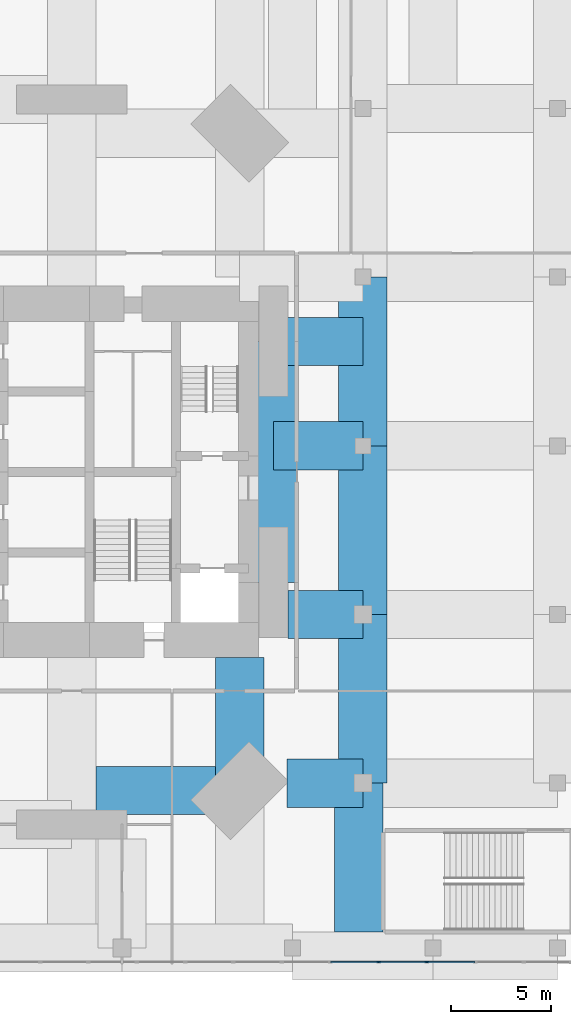
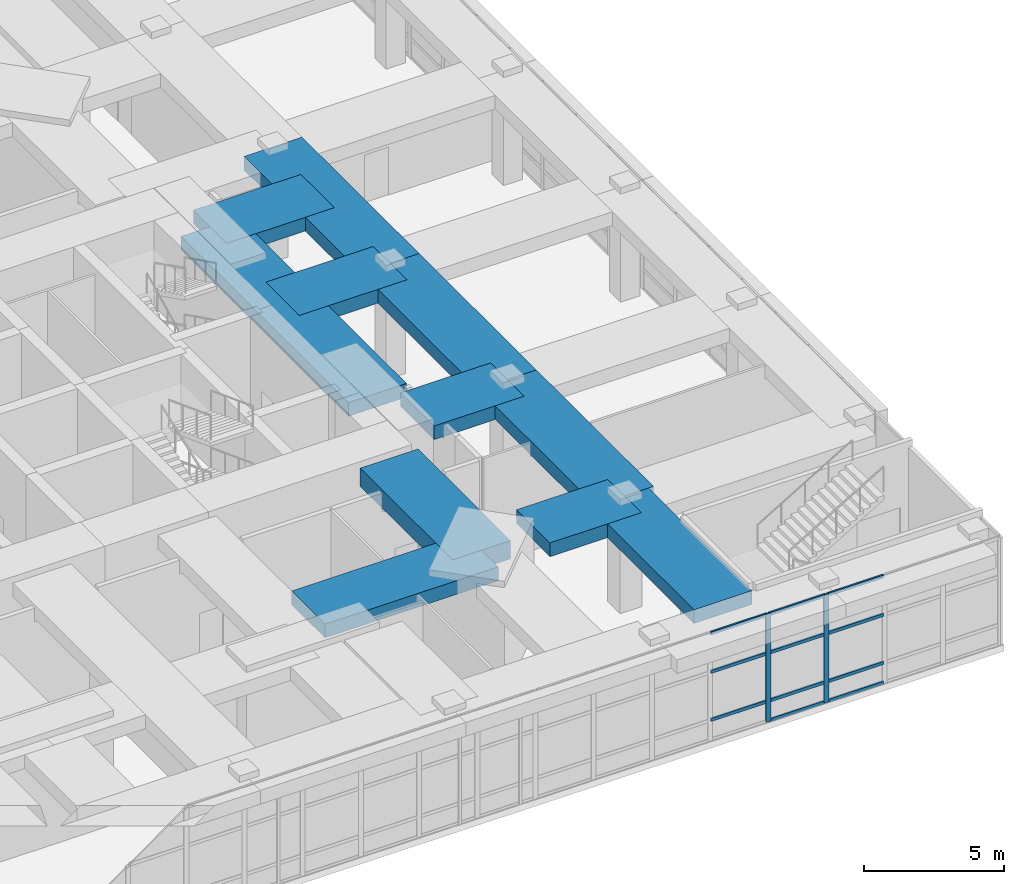
# One storey, part 6 of 22: 13 members, 11 beams, 1 element without a shape of its own.
"""IFC4 building model written with IfcOpenShell, lengths in metres."""

from ifc_helpers import new_model, si_unit, direction, frame, origin, origin_2d, place, context, subcontext, project, spatial, rectangle, extrude, material, material_profile, profile_set, type_object, element, aggregate, save


model = new_model("IFC4")

# Units and contexts
model_context = context("Model", 3, precision=1e-05, world=origin(), true_north=direction((0.0, 1.0)))
body_context = subcontext(model_context, "Body", "Model", "MODEL_VIEW")
ifc_project = project(units=[si_unit("LENGTHUNIT", "METRE"), si_unit("AREAUNIT", "SQUARE_METRE"), si_unit("VOLUMEUNIT", "CUBIC_METRE"), si_unit("PLANEANGLEUNIT", "RADIAN"), si_unit("MASSUNIT", "GRAM", prefix="KILO")], contexts=[model_context])

# Site, building, storey
site_placement = place(None, origin())
site = spatial("IfcSite", under=ifc_project, at=site_placement, CompositionType="ELEMENT")
building_placement = place(site_placement, origin())
building = spatial("IfcBuilding", under=site, at=building_placement, Name="Jalousie Tower", CompositionType="ELEMENT")
storey_placement = place(building_placement, frame((0.0, 0.0, 6.0)))
storey = spatial("IfcBuildingStorey", under=building, at=storey_placement, Name="L01", CompositionType="ELEMENT", Elevation=6.0)

# Curtain wall, members
ifc_material_1 = material(Name="Aluminium curtain wall", Category="aluminium")
curtain_wall_type = type_object("IfcCurtainWallType", Name="PODIUM WINDOW WALL", PredefinedType="USERDEFINED", material=ifc_material_1)
curtain_wall_placement = place(storey_placement, origin())
curtain_wall = element("IfcCurtainWall", 1, at=curtain_wall_placement, inside=storey, type_object=curtain_wall_type, Name="Podium Window Wall L01 1", ObjectType="PODIUM WINDOW WALL", PredefinedType="USERDEFINED")
ifc_material_2 = material(Name="Aluminium mullion", Category="aluminium")
ifc_material_profile_1 = material_profile(ifc_material_2, rectangle(XDim=0.070068359375, YDim=0.199951171875, at=origin_2d()), Name="MULLION 70x200")
ifc_profile_set_1 = profile_set([ifc_material_profile_1], Name="Aluminium mullion")
member_type_1 = type_object("IfcMemberType", Name="PODIUM WINDOW WALL MULLION", PredefinedType="MULLION", material=ifc_profile_set_1)
member_1_placement = place(storey_placement, frame((50.281494140625, -5.91259765625, 0.0), z_axis=(0.0, 0.0, 1.0), x_axis=(0.0, 1.0, 0.0)))
member_1 = element("IfcMember", 2, at=member_1_placement, type_object=member_type_1, Name="CW-P mullion 26", PredefinedType="MULLION", context=body_context, shape_type="SweptSolid", body=[
    extrude(rectangle(XDim=0.070068359375, YDim=0.199951171875, at=origin_2d()), origin(), (0.0, 0.0, 1.0), 4.719970703125),
])
member_2_placement = place(storey_placement, frame((52.689208984375, -5.91259765625, 0.0), z_axis=(0.0, 0.0, 1.0), x_axis=(0.0, 1.0, 0.0)))
member_2 = element("IfcMember", 3, at=member_2_placement, type_object=member_type_1, Name="CW-P mullion 27", PredefinedType="MULLION", context=body_context, shape_type="SweptSolid", body=[
    extrude(rectangle(XDim=0.070068359375, YDim=0.199951171875, at=origin_2d()), origin(), (0.0, 0.0, 1.0), 4.719970703125),
])
ifc_material_3 = material(Name="Aluminium transom", Category="aluminium")
ifc_material_profile_2 = material_profile(ifc_material_3, rectangle(XDim=0.070068359375, YDim=0.139892578125, at=origin_2d()), Name="TRANSOM 70x140")
ifc_profile_set_2 = profile_set([ifc_material_profile_2], Name="Aluminium transom")
member_type_2 = type_object("IfcMemberType", Name="PODIUM WINDOW WALL TRANSOM", PredefinedType="USERDEFINED", material=ifc_profile_set_2)
member_3_placement = place(storey_placement, frame((47.90869140625, -5.91259765625, 0.89990234375), z_axis=(1.0, 0.0, 0.0), x_axis=(0.0, 1.0, 0.0)))
member_3 = element("IfcMember", 4, at=member_3_placement, type_object=member_type_2, Name="CW-P transom 25.2", ObjectType="TRANSOM", PredefinedType="USERDEFINED", context=body_context, shape_type="SweptSolid", body=[
    extrude(rectangle(XDim=0.070068359375, YDim=0.139892578125, at=origin_2d()), origin(), (0.0, 0.0, 1.0), 2.337890625),
])
member_4_placement = place(storey_placement, frame((47.90869140625, -5.91259765625, 3.0), z_axis=(1.0, 0.0, 0.0), x_axis=(0.0, 1.0, 0.0)))
member_4 = element("IfcMember", 5, at=member_4_placement, type_object=member_type_2, Name="CW-P transom 25.3", ObjectType="TRANSOM", PredefinedType="USERDEFINED", context=body_context, shape_type="SweptSolid", body=[
    extrude(rectangle(XDim=0.070068359375, YDim=0.139892578125, at=origin_2d()), origin(), (0.0, 0.0, 1.0), 2.337890625),
])
member_5_placement = place(storey_placement, frame((47.90869140625, -5.91259765625, 4.68505859375), z_axis=(1.0, 0.0, 0.0), x_axis=(0.0, 1.0, 0.0)))
member_5 = element("IfcMember", 6, at=member_5_placement, type_object=member_type_2, Name="CW-P transom 25.4", ObjectType="TRANSOM", PredefinedType="USERDEFINED", context=body_context, shape_type="SweptSolid", body=[
    extrude(rectangle(XDim=0.070068359375, YDim=0.139892578125, at=origin_2d()), origin(), (0.0, 0.0, 1.0), 2.337890625),
])
member_6_placement = place(storey_placement, frame((50.31640625, -5.91259765625, 0.034912109375), z_axis=(1.0, 0.0, 0.0), x_axis=(0.0, 1.0, 0.0)))
member_6 = element("IfcMember", 7, at=member_6_placement, type_object=member_type_2, Name="CW-P transom 26.1", ObjectType="TRANSOM", PredefinedType="USERDEFINED", context=body_context, shape_type="SweptSolid", body=[
    extrude(rectangle(XDim=0.070068359375, YDim=0.139892578125, at=origin_2d()), origin(), (0.0, 0.0, 1.0), 2.337890625),
])
member_7_placement = place(storey_placement, frame((50.31640625, -5.91259765625, 0.89990234375), z_axis=(1.0, 0.0, 0.0), x_axis=(0.0, 1.0, 0.0)))
member_7 = element("IfcMember", 8, at=member_7_placement, type_object=member_type_2, Name="CW-P transom 26.2", ObjectType="TRANSOM", PredefinedType="USERDEFINED", context=body_context, shape_type="SweptSolid", body=[
    extrude(rectangle(XDim=0.070068359375, YDim=0.139892578125, at=origin_2d()), origin(), (0.0, 0.0, 1.0), 2.337890625),
])
member_8_placement = place(storey_placement, frame((50.31640625, -5.91259765625, 3.0), z_axis=(1.0, 0.0, 0.0), x_axis=(0.0, 1.0, 0.0)))
member_8 = element("IfcMember", 9, at=member_8_placement, type_object=member_type_2, Name="CW-P transom 26.3", ObjectType="TRANSOM", PredefinedType="USERDEFINED", context=body_context, shape_type="SweptSolid", body=[
    extrude(rectangle(XDim=0.070068359375, YDim=0.139892578125, at=origin_2d()), origin(), (0.0, 0.0, 1.0), 2.337890625),
])
member_9_placement = place(storey_placement, frame((50.31640625, -5.91259765625, 4.68505859375), z_axis=(1.0, 0.0, 0.0), x_axis=(0.0, 1.0, 0.0)))
member_9 = element("IfcMember", 10, at=member_9_placement, type_object=member_type_2, Name="CW-P transom 26.4", ObjectType="TRANSOM", PredefinedType="USERDEFINED", context=body_context, shape_type="SweptSolid", body=[
    extrude(rectangle(XDim=0.070068359375, YDim=0.139892578125, at=origin_2d()), origin(), (0.0, 0.0, 1.0), 2.337890625),
])
member_10_placement = place(storey_placement, frame((52.72412109375, -5.91259765625, 0.034912109375), z_axis=(1.0, 0.0, 0.0), x_axis=(0.0, 1.0, 0.0)))
member_10 = element("IfcMember", 11, at=member_10_placement, type_object=member_type_2, Name="CW-P transom 27.1", ObjectType="TRANSOM", PredefinedType="USERDEFINED", context=body_context, shape_type="SweptSolid", body=[
    extrude(rectangle(XDim=0.070068359375, YDim=0.139892578125, at=origin_2d()), origin(), (0.0, 0.0, 1.0), 2.337890625),
])
member_11_placement = place(storey_placement, frame((52.72412109375, -5.91259765625, 0.89990234375), z_axis=(1.0, 0.0, 0.0), x_axis=(0.0, 1.0, 0.0)))
member_11 = element("IfcMember", 12, at=member_11_placement, type_object=member_type_2, Name="CW-P transom 27.2", ObjectType="TRANSOM", PredefinedType="USERDEFINED", context=body_context, shape_type="SweptSolid", body=[
    extrude(rectangle(XDim=0.070068359375, YDim=0.139892578125, at=origin_2d()), origin(), (0.0, 0.0, 1.0), 2.337890625),
])
member_12_placement = place(storey_placement, frame((52.72412109375, -5.91259765625, 3.0), z_axis=(1.0, 0.0, 0.0), x_axis=(0.0, 1.0, 0.0)))
member_12 = element("IfcMember", 13, at=member_12_placement, type_object=member_type_2, Name="CW-P transom 27.3", ObjectType="TRANSOM", PredefinedType="USERDEFINED", context=body_context, shape_type="SweptSolid", body=[
    extrude(rectangle(XDim=0.070068359375, YDim=0.139892578125, at=origin_2d()), origin(), (0.0, 0.0, 1.0), 2.337890625),
])
member_13_placement = place(storey_placement, frame((52.72412109375, -5.91259765625, 4.68505859375), z_axis=(1.0, 0.0, 0.0), x_axis=(0.0, 1.0, 0.0)))
member_13 = element("IfcMember", 14, at=member_13_placement, type_object=member_type_2, Name="CW-P transom 27.4", ObjectType="TRANSOM", PredefinedType="USERDEFINED", context=body_context, shape_type="SweptSolid", body=[
    extrude(rectangle(XDim=0.070068359375, YDim=0.139892578125, at=origin_2d()), origin(), (0.0, 0.0, 1.0), 2.337890625),
])
aggregate(curtain_wall, [member_1, member_2, member_3, member_4, member_5, member_6, member_7, member_8, member_9, member_10, member_11, member_12, member_13])

# Beams
ifc_material_4 = material(Name="Concrete f'c 40 MPa", Category="concrete")
ifc_material_profile_3 = material_profile(ifc_material_4, rectangle(XDim=2.39990234375, YDim=0.60009765625, at=origin_2d()), Name="RC 2400x600")
ifc_profile_set_3 = profile_set([ifc_material_profile_3], Name="Concrete f'c 40 MPa")
beam_type_1 = type_object("IfcBeamType", Name="RC BEAM 2400x600", PredefinedType="BEAM", material=ifc_profile_set_3)
beam_1_placement = place(storey_placement, frame((45.050048828125, 13.0, 4.419921875), z_axis=(0.0, 1.0, 0.0), x_axis=(-1.0, 0.0, 0.0)))
element("IfcBeam", 15, at=beam_1_placement, inside=storey, type_object=beam_type_1, Name="Floor band beam under L02", PredefinedType="BEAM", context=body_context, shape_type="SweptSolid", body=[
    extrude(rectangle(XDim=2.39990234375, YDim=0.60009765625, at=origin_2d()), origin(), (0.0, 0.0, 1.0), 12.0),
])
beam_2_placement = place(storey_placement, frame((49.5, 3.0, 4.419921875), z_axis=(0.0, 1.0, 0.0), x_axis=(-1.0, 0.0, 0.0)))
element("IfcBeam", 16, at=beam_2_placement, inside=storey, type_object=beam_type_1, Name="Floor band beam under L02", PredefinedType="BEAM", context=body_context, shape_type="SweptSolid", body=[
    extrude(rectangle(XDim=2.39990234375, YDim=0.60009765625, at=origin_2d()), origin(), (0.0, 0.0, 1.0), 8.39990234375),
])
beam_3_placement = place(storey_placement, frame((49.5, 11.39990234375, 4.419921875), z_axis=(-1.0, 0.0, 0.0), x_axis=(0.0, -1.0, 0.0)))
element("IfcBeam", 17, at=beam_3_placement, inside=storey, type_object=beam_type_1, Name="Floor band beam under L02", PredefinedType="BEAM", context=body_context, shape_type="SweptSolid", body=[
    extrude(rectangle(XDim=2.39990234375, YDim=0.60009765625, at=origin_2d()), origin(), (0.0, 0.0, 1.0), 3.72509765625),
])
beam_4_placement = place(storey_placement, frame((49.5, 11.39990234375, 4.419921875), z_axis=(0.0, 1.0, 0.0), x_axis=(-1.0, 0.0, 0.0)))
element("IfcBeam", 18, at=beam_4_placement, inside=storey, type_object=beam_type_1, Name="Floor band beam under L02", PredefinedType="BEAM", context=body_context, shape_type="SweptSolid", body=[
    extrude(rectangle(XDim=2.39990234375, YDim=0.60009765625, at=origin_2d()), origin(), (0.0, 0.0, 1.0), 8.400146484375),
])
beam_5_placement = place(storey_placement, frame((49.5, 19.800048828125, 4.419921875), z_axis=(-1.0, 0.0, 0.0), x_axis=(0.0, -1.0, 0.0)))
element("IfcBeam", 19, at=beam_5_placement, inside=storey, type_object=beam_type_1, Name="Floor band beam under L02", PredefinedType="BEAM", context=body_context, shape_type="SweptSolid", body=[
    extrude(rectangle(XDim=2.39990234375, YDim=0.60009765625, at=origin_2d()), origin(), (0.0, 0.0, 1.0), 4.449951171875),
])
beam_6_placement = place(storey_placement, frame((49.5, 19.800048828125, 4.419921875), z_axis=(0.0, 1.0, 0.0), x_axis=(-1.0, 0.0, 0.0)))
element("IfcBeam", 20, at=beam_6_placement, inside=storey, type_object=beam_type_1, Name="Floor band beam under L02", PredefinedType="BEAM", context=body_context, shape_type="SweptSolid", body=[
    extrude(rectangle(XDim=2.39990234375, YDim=0.60009765625, at=origin_2d()), origin(), (0.0, 0.0, 1.0), 8.39990234375),
])
beam_7_placement = place(storey_placement, frame((43.36865234375, 2.63134765625, 4.419921875), z_axis=(-1.0, 0.0, 0.0), x_axis=(0.0, -1.0, 0.0)))
element("IfcBeam", 21, at=beam_7_placement, inside=storey, type_object=beam_type_1, Name="Floor band beam under L02", PredefinedType="BEAM", context=body_context, shape_type="SweptSolid", body=[
    extrude(rectangle(XDim=2.39990234375, YDim=0.60009765625, at=origin_2d()), origin(), (0.0, 0.0, 1.0), 7.168701171875),
])
beam_8_placement = place(storey_placement, frame((45.050048828125, 25.0, 4.419921875), z_axis=(1.0, 0.0, 0.0), x_axis=(0.0, 1.0, 0.0)))
element("IfcBeam", 22, at=beam_8_placement, inside=storey, type_object=beam_type_1, Name="Floor band beam under L02", PredefinedType="BEAM", context=body_context, shape_type="SweptSolid", body=[
    extrude(rectangle(XDim=2.39990234375, YDim=0.60009765625, at=origin_2d()), origin(), (0.0, 0.0, 1.0), 4.449951171875),
])
beam_9_placement = place(storey_placement, frame((49.5, 3.0, 4.419921875), z_axis=(-1.0, 0.0, 0.0), x_axis=(0.0, -1.0, 0.0)))
element("IfcBeam", 23, at=beam_9_placement, inside=storey, type_object=beam_type_1, Name="Floor band beam under L02", PredefinedType="BEAM", context=body_context, shape_type="SweptSolid", body=[
    extrude(rectangle(XDim=2.39990234375, YDim=0.60009765625, at=origin_2d()), origin(), (0.0, 0.0, 1.0), 3.782958984375),
])
beam_10_placement = place(storey_placement, frame((49.300048828125, 3.0, 4.419921875), z_axis=(0.0, -1.0, 0.0), x_axis=(1.0, 0.0, 0.0)))
element("IfcBeam", 24, at=beam_10_placement, inside=storey, type_object=beam_type_1, Name="Floor band beam under L02", PredefinedType="BEAM", context=body_context, shape_type="SweptSolid", body=[
    extrude(rectangle(XDim=2.39990234375, YDim=0.60009765625, at=origin_2d()), origin(), (0.0, 0.0, 1.0), 7.39990234375),
])
ifc_material_5 = material(Name="Concrete f'c 40 MPa", Category="concrete")
ifc_material_profile_4 = material_profile(ifc_material_5, rectangle(XDim=2.39990234375, YDim=0.800048828125, at=origin_2d()), Name="RC 2400x800")
ifc_profile_set_4 = profile_set([ifc_material_profile_4], Name="Concrete f'c 40 MPa")
beam_type_2 = type_object("IfcBeamType", Name="RC BEAM 2400x800", PredefinedType="BEAM", material=ifc_profile_set_4)
beam_11_placement = place(storey_placement, frame((43.36865234375, 2.63134765625, 4.320068359375), z_axis=(0.0, 1.0, 0.0), x_axis=(-1.0, 0.0, 0.0)))
element("IfcBeam", 25, at=beam_11_placement, inside=storey, type_object=beam_type_2, Name="Floor band beam under L02", PredefinedType="BEAM", context=body_context, shape_type="SweptSolid", body=[
    extrude(rectangle(XDim=2.39990234375, YDim=0.800048828125, at=origin_2d()), origin(), (0.0, 0.0, 1.0), 6.61865234375),
])

save(model, "model.ifc")
